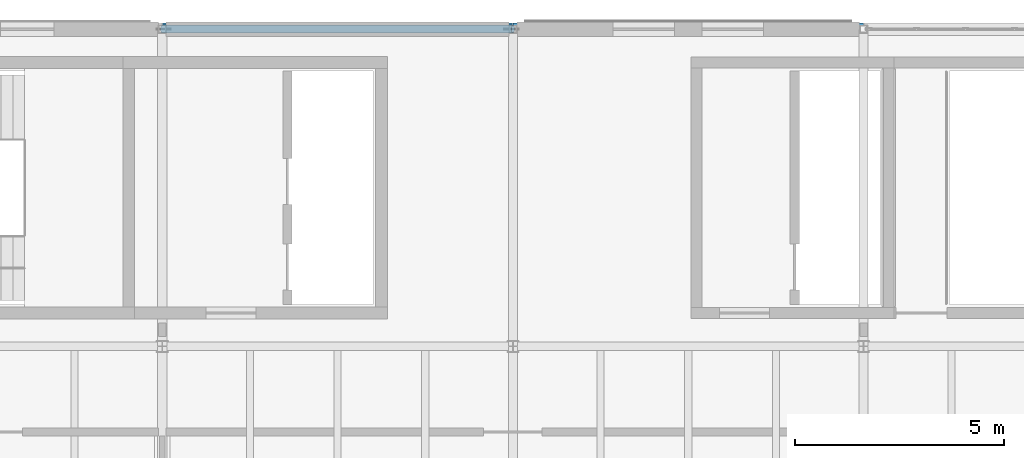
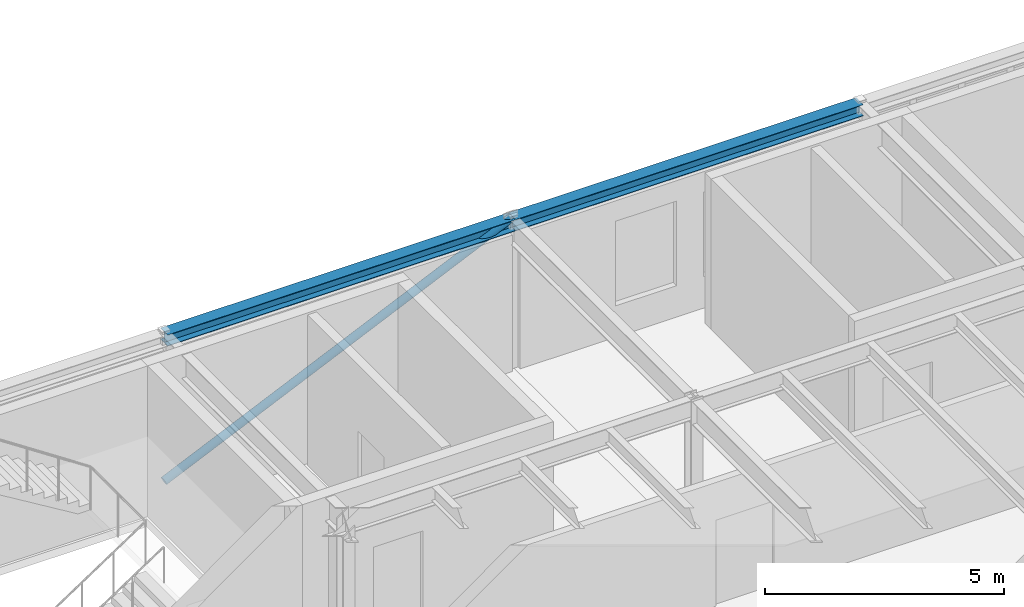
# One storey, part 9 of 26: 2 beams, 1 member.
"""IFC4 building model written with IfcOpenShell, lengths in metres."""

from ifc_helpers import new_model, si_unit, direction, frame, origin, origin_2d, place, context, subcontext, project, spatial, hollow_circle, i_section, extrude, material, material_profile, profile_set, type_object, element, save


model = new_model("IFC4")

# Units and contexts
model_context = context("Model", 3, precision=1e-05, world=origin(), true_north=direction((0.0, 1.0)))
body_context = subcontext(model_context, "Body", "Model", "MODEL_VIEW")
ifc_project = project(units=[si_unit("LENGTHUNIT", "METRE"), si_unit("AREAUNIT", "SQUARE_METRE"), si_unit("VOLUMEUNIT", "CUBIC_METRE"), si_unit("PLANEANGLEUNIT", "RADIAN"), si_unit("MASSUNIT", "GRAM", prefix="KILO")], contexts=[model_context])

# Site, building, storey
site_placement = place(None, origin())
site = spatial("IfcSite", under=ifc_project, at=site_placement, CompositionType="ELEMENT")
building_placement = place(site_placement, origin())
building = spatial("IfcBuilding", under=site, at=building_placement, Name="Montecoro Central Library", CompositionType="ELEMENT")
storey_placement = place(building_placement, frame((0.0, 0.0, 21.419921875)))
storey = spatial("IfcBuildingStorey", under=building, at=storey_placement, Name="L05", CompositionType="ELEMENT", Elevation=21.419921875)

# Beams
ifc_material = material(Name="Steel S355", Category="steel")
ifc_material_profile_1 = material_profile(ifc_material, i_section(OverallWidth=0.300048828125, OverallDepth=0.2900390625, WebThickness=0.008544921875, FlangeThickness=0.013916015625, at=origin_2d()), Name="HEA 300")
ifc_profile_set_1 = profile_set([ifc_material_profile_1], Name="Steel S355")
beam_type = type_object("IfcBeamType", Name="BM-SP-HEA300", PredefinedType="SPANDREL", material=ifc_profile_set_1)
beam_1_placement = place(storey_placement, frame((83.205078125, 119.0, 3.68017578125), z_axis=(1.0, 0.0, 0.0), x_axis=(0.0, 1.0, 0.0)))
element("IfcBeam", 1, at=beam_1_placement, inside=storey, type_object=beam_type, Name="V2-L05-BX-1112-R", PredefinedType="SPANDREL", context=body_context, shape_type="SweptSolid", body=[
    extrude(i_section(OverallWidth=0.300048828125, OverallDepth=0.2900390625, WebThickness=0.008544921875, FlangeThickness=0.013916015625, at=origin_2d()), origin(), (0.0, 0.0, 1.0), 8.389892578125),
])
beam_2_placement = place(storey_placement, frame((91.60498046875, 119.0, 3.68017578125), z_axis=(1.0, 0.0, 0.0), x_axis=(0.0, 1.0, 0.0)))
element("IfcBeam", 2, at=beam_2_placement, inside=storey, type_object=beam_type, Name="V2-L05-BX-1213-R", PredefinedType="SPANDREL", context=body_context, shape_type="SweptSolid", body=[
    extrude(i_section(OverallWidth=0.300048828125, OverallDepth=0.2900390625, WebThickness=0.008544921875, FlangeThickness=0.013916015625, at=origin_2d()), origin(), (0.0, 0.0, 1.0), 8.39013671875),
])

# Member
ifc_material_profile_2 = material_profile(ifc_material, hollow_circle(Radius=0.096923828125, WallThickness=0.008056640625, at=origin_2d()), Name="CHS 193.7x8.0")
ifc_profile_set_2 = profile_set([ifc_material_profile_2], Name="Steel S355")
member_type = type_object("IfcMemberType", Name="MB-BR-CHS194", PredefinedType="BRACE", material=ifc_profile_set_2)
member_placement = place(storey_placement, frame((83.199951171875, 119.0, 0.010009765625), z_axis=(0.911307452652, 0.0, 0.411726519356), x_axis=(0.0, 1.0, 0.0)))
element("IfcMember", 3, at=member_placement, inside=storey, type_object=member_type, Name="V2-L05-BRN1", PredefinedType="BRACE", context=body_context, shape_type="SweptSolid", body=[
    extrude(hollow_circle(Radius=0.096923828125, WallThickness=0.008056640625, at=origin_2d()), origin(), (0.0, 0.0, 1.0), 9.2177734375),
])

save(model, "model.ifc")
